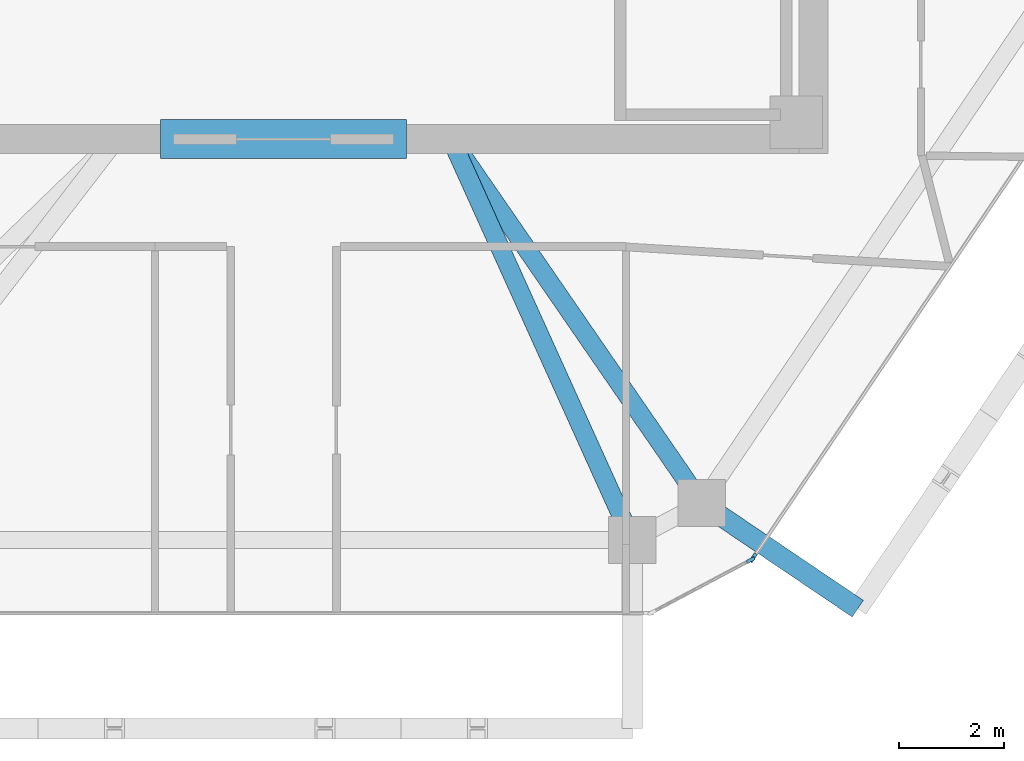
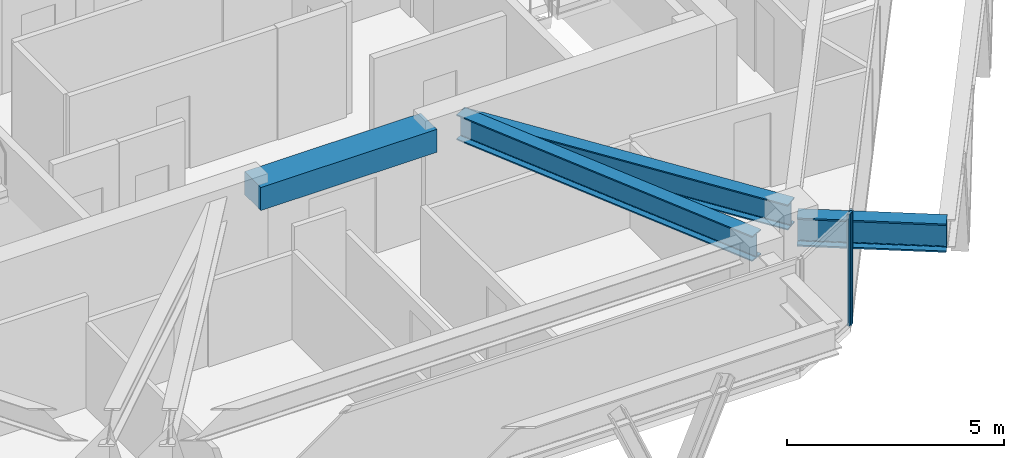
# One storey, part 3 of 11: 4 beams, 2 members, 2 elements without a shape of their own.
"""IFC4 building model written with IfcOpenShell, lengths in metres."""

from ifc_helpers import new_model, si_unit, direction, frame, origin, origin_2d, place, context, subcontext, project, spatial, rectangle, i_section, extrude, source, transform, mapped, material, layer, layer_set, material_profile, profile_set, type_object, type_shapes, element, aggregate, save


model = new_model("IFC4")

# Units and contexts
model_context = context("Model", 3, precision=1e-05, world=origin(), true_north=direction((0.0, 1.0)))
body_context = subcontext(model_context, "Body", "Model", "MODEL_VIEW")
ifc_project = project(units=[si_unit("LENGTHUNIT", "METRE"), si_unit("AREAUNIT", "SQUARE_METRE"), si_unit("VOLUMEUNIT", "CUBIC_METRE"), si_unit("PLANEANGLEUNIT", "RADIAN"), si_unit("MASSUNIT", "GRAM", prefix="KILO")], contexts=[model_context])

# Site, building, storey
site_placement = place(None, origin())
site = spatial("IfcSite", under=ifc_project, at=site_placement, CompositionType="ELEMENT")
building_placement = place(site_placement, origin())
building = spatial("IfcBuilding", under=site, at=building_placement, Name="Durnholm Broadcast Tower", CompositionType="ELEMENT")
storey_placement = place(building_placement, frame((0.0, 0.0, 258.10009765625)))
storey = spatial("IfcBuildingStorey", under=building, at=storey_placement, Name="L72", CompositionType="ELEMENT", Elevation=258.10009765625)

# Beams
ifc_material_1 = material(Name="Concrete C70/85", Category="concrete")
ifc_material_profile_1 = material_profile(ifc_material_1, rectangle(XDim=0.75, YDim=0.64990234375, at=origin_2d()), Name="RC750X650")
ifc_profile_set_1 = profile_set([ifc_material_profile_1], Name="Concrete C70/85")
beam_type_1 = type_object("IfcBeamType", Name="BM-CB-RC650", PredefinedType="LINTEL", material=ifc_profile_set_1)
shared_shape_1 = source(origin(), body_context, "Body", "SweptSolid", [
    extrude(rectangle(XDim=0.75, YDim=0.64990234375, at=origin_2d()), origin(), (0.0, 0.0, 1.0), 4.7001953125),
])
type_shapes(beam_type_1, [shared_shape_1])
beam_1_placement = place(storey_placement, frame((-2.35009765625, -8.125, 2.829833984375), z_axis=(1.0, 0.0, 0.0), x_axis=(0.0, 1.0, 0.0)))
element("IfcBeam", 1, at=beam_1_placement, inside=storey, type_object=beam_type_1, Name="L72 south core coupling lintel beam CB-S", PredefinedType="LINTEL", context=body_context, shape_type="MappedRepresentation", body=[
    mapped(shared_shape_1, transform((0.0, 0.0, 0.0), x_axis=(1.0, 0.0, 0.0), y_axis=(0.0, 1.0, 0.0), z_axis=(0.0, 0.0, 1.0), scale=1.0)),
])
ifc_material_2 = material(Name="Steel ASTM A992 Grade 50", Category="steel")
ifc_material_profile_2 = material_profile(ifc_material_2, i_section(OverallWidth=0.385009765625, OverallDepth=0.802978515625, WebThickness=0.023681640625, FlangeThickness=0.0419921875, FilletRadius=0.032958984375, at=origin_2d()), Name="W30X261")
ifc_profile_set_2 = profile_set([ifc_material_profile_2], Name="Steel ASTM A992 Grade 50")
beam_type_2 = type_object("IfcBeamType", Name="BM-EXO-TIE", PredefinedType="USERDEFINED", material=ifc_profile_set_2)
shared_shape_2 = source(origin(), body_context, "Body", "SweptSolid", [
    extrude(i_section(OverallWidth=0.385009765625, OverallDepth=0.802978515625, WebThickness=0.023681640625, FlangeThickness=0.0419921875, FilletRadius=0.032958984375, at=origin_2d()), origin(), (0.0, 0.0, 1.0), 3.4560546875),
])
type_shapes(beam_type_2, [shared_shape_2])
beam_2_placement = place(storey_placement, frame((8.110107421875, -15.161865234375, 2.408447265625), z_axis=(0.828468499792, -0.560035663911, 0.0), x_axis=(0.560035663911, 0.828468499792, 0.0)))
element("IfcBeam", 2, at=beam_2_placement, inside=storey, type_object=beam_type_2, Name="L72 exoskeleton stand-off tie bracket F2.1", ObjectType="GIRDER", PredefinedType="USERDEFINED", context=body_context, shape_type="MappedRepresentation", body=[
    mapped(shared_shape_2, transform((0.0, 0.0, 0.0), x_axis=(1.0, 0.0, 0.0), y_axis=(0.0, 1.0, 0.0), z_axis=(0.0, 0.0, 1.0), scale=1.0)),
])
ifc_material_profile_3 = material_profile(ifc_material_2, i_section(OverallWidth=0.3564453125, OverallDepth=0.713623046875, WebThickness=0.01904296875, FlangeThickness=0.033935546875, FilletRadius=0.030517578125, at=origin_2d()), Name="W27X194")
ifc_profile_set_3 = profile_set([ifc_material_profile_3], Name="Steel ASTM A992 Grade 50")
beam_type_3 = type_object("IfcBeamType", Name="STL-GR-W27X194", PredefinedType="USERDEFINED", material=ifc_profile_set_3)
shared_shape_3 = source(origin(), body_context, "Body", "SweptSolid", [
    extrude(i_section(OverallWidth=0.3564453125, OverallDepth=0.713623046875, WebThickness=0.01904296875, FlangeThickness=0.033935546875, FilletRadius=0.030517578125, at=origin_2d()), origin(), (0.0, 0.0, 1.0), 8.446533203125),
])
beam_3_placement = place(storey_placement, frame((3.199951171875, -8.125, 2.7880859375), z_axis=(0.567216806915, -0.823568511997, 0.0), x_axis=(0.823568511997, 0.567216806915, 0.0)))
element("IfcBeam", 3, at=beam_3_placement, inside=storey, type_object=beam_type_3, Name="L72 radial primary floor girder 10", ObjectType="GIRDER", PredefinedType="USERDEFINED", context=body_context, shape_type="MappedRepresentation", body=[
    mapped(shared_shape_3, transform((0.0, 0.0, 0.0), x_axis=(1.0, 0.0, 0.0), y_axis=(0.0, 1.0, 0.0), z_axis=(0.0, 0.0, 1.0), scale=1.0)),
])
shared_shape_4 = source(origin(), body_context, "Body", "SweptSolid", [
    extrude(i_section(OverallWidth=0.3564453125, OverallDepth=0.713623046875, WebThickness=0.01904296875, FlangeThickness=0.033935546875, FilletRadius=0.030517578125, at=origin_2d()), origin(), (0.0, 0.0, 1.0), 8.407470703125),
])
type_shapes(beam_type_3, [shared_shape_3, shared_shape_4])
beam_4_placement = place(storey_placement, frame((3.199951171875, -8.125, 2.7880859375), z_axis=(0.411992813642, -0.911187094678, 0.0), x_axis=(0.911187094678, 0.411992813642, 0.0)))
element("IfcBeam", 4, at=beam_4_placement, inside=storey, type_object=beam_type_3, Name="L72 radial primary floor girder 11", ObjectType="GIRDER", PredefinedType="USERDEFINED", context=body_context, shape_type="MappedRepresentation", body=[
    mapped(shared_shape_4, transform((0.0, 0.0, 0.0), x_axis=(1.0, 0.0, 0.0), y_axis=(0.0, 1.0, 0.0), z_axis=(0.0, 0.0, 1.0), scale=1.0)),
])

# Curtain wall, member
ifc_material_3 = material(Name="Aluminium and Solar Control IGU", Category="aluminium")
ifc_layer_1 = layer(ifc_material_3, 0.1650390625)
ifc_layer_set_1 = layer_set([ifc_layer_1], Name="Aluminium and Solar Control IGU")
curtain_wall_type_1 = type_object("IfcCurtainWallType", Name="CW-SYS-5", PredefinedType="NOTDEFINED", material=ifc_layer_set_1)
curtain_wall_1_placement = place(storey_placement, origin())
curtain_wall_1 = element("IfcCurtainWall", 5, at=curtain_wall_1_placement, inside=storey, type_object=curtain_wall_type_1, Name="L72 curtain wall CW-CORNER CW-L72-CRN-09", PredefinedType="NOTDEFINED")
ifc_material_4 = material(Name="Aluminium 6063-T6", Category="aluminium")
ifc_material_profile_4 = material_profile(ifc_material_4, rectangle(XDim=0.06494140625, YDim=0.1650390625, at=origin_2d()), Name="CWM65X165")
ifc_profile_set_4 = profile_set([ifc_material_profile_4], Name="Aluminium 6063-T6")
member_type_1 = type_object("IfcMemberType", Name="CW-SYS-5-MUL", PredefinedType="MULLION", material=ifc_profile_set_4)
shared_shape_5 = source(origin(), body_context, "Body", "SweptSolid", [
    extrude(rectangle(XDim=0.06494140625, YDim=0.1650390625, at=origin_2d()), origin(), (0.0, 0.0, 1.0), 3.159912109375),
])
type_shapes(member_type_1, [shared_shape_5])
member_1_placement = place(storey_placement, frame((8.9267578125, -16.16943359375, 0.0), z_axis=(0.0, 0.0, 1.0), x_axis=(0.469006771575, -0.883194569853, 0.0)))
member_1 = element("IfcMember", 6, at=member_1_placement, type_object=member_type_1, Name="CW-CORNER mullion 1", PredefinedType="MULLION", context=body_context, shape_type="MappedRepresentation", body=[
    mapped(shared_shape_5, transform((0.0, 0.0, 0.0), x_axis=(1.0, 0.0, 0.0), y_axis=(0.0, 1.0, 0.0), z_axis=(0.0, 0.0, 1.0), scale=1.0)),
])
aggregate(curtain_wall_1, [member_1])

ifc_layer_2 = layer(ifc_material_3, 0.18994140625)
ifc_layer_set_2 = layer_set([ifc_layer_2], Name="Aluminium and Solar Control IGU")
curtain_wall_type_2 = type_object("IfcCurtainWallType", Name="CW-SYS-4", PredefinedType="NOTDEFINED", material=ifc_layer_set_2)
curtain_wall_2_placement = place(storey_placement, origin())
curtain_wall_2 = element("IfcCurtainWall", 7, at=curtain_wall_2_placement, inside=storey, type_object=curtain_wall_type_2, Name="L72 curtain wall CW-Z34-VIS CW-L72-F08", PredefinedType="NOTDEFINED")
ifc_material_profile_5 = material_profile(ifc_material_4, rectangle(XDim=0.070068359375, YDim=0.18994140625, at=origin_2d()), Name="CWM70X190")
ifc_profile_set_5 = profile_set([ifc_material_profile_5], Name="Aluminium 6063-T6")
member_type_2 = type_object("IfcMemberType", Name="CW-SYS-4-MUL", PredefinedType="MULLION", material=ifc_profile_set_5)
shared_shape_6 = source(origin(), body_context, "Body", "SweptSolid", [
    extrude(rectangle(XDim=0.070068359375, YDim=0.18994140625, at=origin_2d()), origin(), (0.0, 0.0, 1.0), 3.159912109375),
])
type_shapes(member_type_2, [shared_shape_6])
member_2_placement = place(storey_placement, frame((8.97509765625, -16.125244140625, 0.0), z_axis=(0.0, 0.0, 1.0), x_axis=(0.828443431662, -0.560072745753, 0.0)))
member_2 = element("IfcMember", 8, at=member_2_placement, type_object=member_type_2, Name="CW-Z34-VIS mullion 2", PredefinedType="MULLION", context=body_context, shape_type="MappedRepresentation", body=[
    mapped(shared_shape_6, transform((0.0, 0.0, 0.0), x_axis=(1.0, 0.0, 0.0), y_axis=(0.0, 1.0, 0.0), z_axis=(0.0, 0.0, 1.0), scale=1.0)),
])
aggregate(curtain_wall_2, [member_2])

save(model, "model.ifc")
